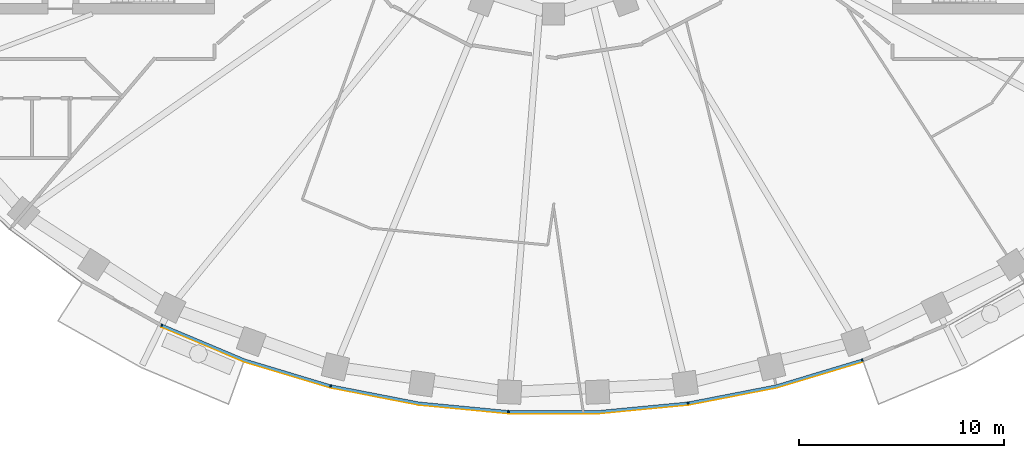
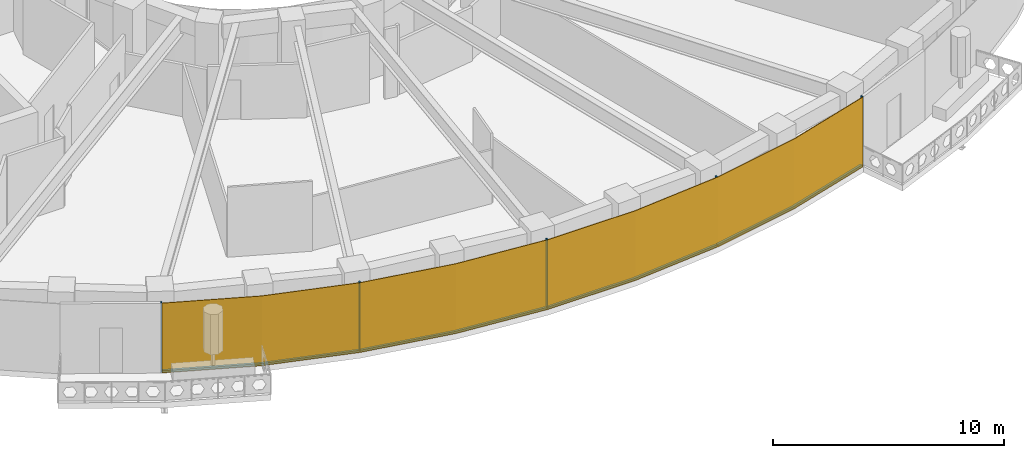
# One storey, part 9 of 15: 9 members, 1 curtain wall.
"""IFC4 building model written with IfcOpenShell, lengths in metres."""

from ifc_helpers import new_model, si_unit, direction, frame, origin, origin_2d, place, context, subcontext, project, spatial, polyline, rectangle, outline, extrude, material, layer, layer_set, material_profile, profile_set, type_object, element, aggregate, save


model = new_model("IFC4")

# Units and contexts
model_context = context("Model", 3, precision=1e-05, world=origin(), true_north=direction((0.0, 1.0)))
body_context = subcontext(model_context, "Body", "Model", "MODEL_VIEW")
ifc_project = project(units=[si_unit("LENGTHUNIT", "METRE"), si_unit("AREAUNIT", "SQUARE_METRE"), si_unit("VOLUMEUNIT", "CUBIC_METRE"), si_unit("PLANEANGLEUNIT", "RADIAN"), si_unit("MASSUNIT", "GRAM", prefix="KILO")], contexts=[model_context])

# Member
ifc_material_1 = material(Name="Aluminium 6063-T6 black anodised", Category="aluminium")
ifc_material_profile = material_profile(ifc_material_1, rectangle(XDim=0.1201171875, YDim=0.06005859375, at=origin_2d()), Name="120x60")
ifc_profile_set = profile_set([ifc_material_profile], Name="Aluminium 6063-T6 black anodised")
member_type_1 = type_object("IfcMemberType", Name="ENV-MULLION-A-120", PredefinedType="MULLION", material=ifc_profile_set)
site_placement = place(None, origin())
building_placement = place(site_placement, origin())
storey_placement = place(building_placement, frame((0.0, 0.0, 182.0)))
member_1_placement = place(storey_placement, frame((-19.06787109375, -23.6474609375, 0.0), z_axis=(0.0, 0.0, 1.0), x_axis=(0.439237769837, 0.898370848563, 0.0)))
member_1 = element("IfcMember", 1, at=member_1_placement, type_object=member_type_1, Name="Mullion A radial 31", PredefinedType="MULLION", context=body_context, shape_type="SweptSolid", body=[
    extrude(rectangle(XDim=0.1201171875, YDim=0.06005859375, at=origin_2d()), origin(), (0.0, 0.0, 1.0), 3.699951171875),
])

member_2_placement = place(storey_placement, frame((-10.84326171875, -26.60498046875, 0.0), z_axis=(0.0, 0.0, 1.0), x_axis=(0.239799081534, 0.970822538106, 0.0)))
member_2 = element("IfcMember", 2, at=member_2_placement, type_object=member_type_1, Name="Mullion A radial 33", PredefinedType="MULLION", context=body_context, shape_type="SweptSolid", body=[
    extrude(rectangle(XDim=0.1201171875, YDim=0.06005859375, at=origin_2d()), origin(), (0.0, 0.0, 1.0), 3.699951171875),
])

member_3_placement = place(storey_placement, frame((-2.188720703125, -27.856201171875, 0.0), z_axis=(0.0, 0.0, 1.0), x_axis=(0.047557873581, 0.998868484166, 0.0)))
member_3 = element("IfcMember", 3, at=member_3_placement, type_object=member_type_1, Name="Mullion A radial 35", PredefinedType="MULLION", context=body_context, shape_type="SweptSolid", body=[
    extrude(rectangle(XDim=0.1201171875, YDim=0.06005859375, at=origin_2d()), origin(), (0.0, 0.0, 1.0), 3.699951171875),
])

member_4_placement = place(storey_placement, frame((6.54638671875, -27.440185546875, 0.0), z_axis=(0.0, 0.0, 1.0), x_axis=(-0.143082012705, 0.989710835366, 0.0)))
member_4 = element("IfcMember", 4, at=member_4_placement, type_object=member_type_1, Name="Mullion A radial 37", PredefinedType="MULLION", context=body_context, shape_type="SweptSolid", body=[
    extrude(rectangle(XDim=0.1201171875, YDim=0.06005859375, at=origin_2d()), origin(), (0.0, 0.0, 1.0), 3.699951171875),
])

member_5_placement = place(storey_placement, frame((15.0341796875, -25.34375, 0.0), z_axis=(0.0, 0.0, 1.0), x_axis=(-0.338379256581, 0.941009818608, 0.0)))
member_5 = element("IfcMember", 5, at=member_5_placement, type_object=member_type_1, Name="Mullion A radial 39", PredefinedType="MULLION", context=body_context, shape_type="SweptSolid", body=[
    extrude(rectangle(XDim=0.1201171875, YDim=0.06005859375, at=origin_2d()), origin(), (0.0, 0.0, 1.0), 3.699951171875),
])

ifc_material_2 = material(Name="Aluminium 6063-T6 black anodised", Category="aluminium")
member_type_2 = type_object("IfcMemberType", Name="ENV-TRANSOM-A", PredefinedType="USERDEFINED", material=ifc_material_2)
member_6_placement = place(storey_placement, origin())
member_6 = element("IfcMember", 6, at=member_6_placement, type_object=member_type_2, Name="Transom A radial 31-33", ObjectType="TRANSOM", PredefinedType="USERDEFINED", context=body_context, shape_type="SweptSolid", body=[
    extrude(outline(polyline([(-19.068359375, -23.71240234375), (-15.054443359375, -25.400146484375), (-10.884521484375, -26.655029296875), (-10.855712890625, -26.53857421875), (-15.013916015625, -25.287109375), (-19.015380859375, -23.604248046875), (-19.068359375, -23.71240234375)])), origin(), (0.0, 0.0, 1.0), 0.10009765625),
])

member_7_placement = place(storey_placement, origin())
member_7 = element("IfcMember", 7, at=member_7_placement, type_object=member_type_2, Name="Transom A radial 33-35", ObjectType="TRANSOM", PredefinedType="USERDEFINED", context=body_context, shape_type="SweptSolid", body=[
    extrude(outline(polyline([(-10.830078125, -26.66845703125), (-6.55517578125, -27.49951171875), (-2.219482421875, -27.913330078125), (-2.2138671875, -27.793212890625), (-6.537841796875, -27.380615234375), (-10.80126953125, -26.552001953125), (-10.830078125, -26.66845703125)])), origin(), (0.0, 0.0, 1.0), 0.10009765625),
])

member_8_placement = place(storey_placement, origin())
member_8 = element("IfcMember", 8, at=member_8_placement, type_object=member_type_2, Name="Transom A radial 35-37", ObjectType="TRANSOM", PredefinedType="USERDEFINED", context=body_context, shape_type="SweptSolid", body=[
    extrude(outline(polyline([(-2.163818359375, -27.916015625), (2.191650390625, -27.916015625), (6.527099609375, -27.502197265625), (6.510009765625, -27.38330078125), (2.185791015625, -27.7958984375), (-2.157958984375, -27.7958984375), (-2.163818359375, -27.916015625)])), origin(), (0.0, 0.0, 1.0), 0.10009765625),
])

member_9_placement = place(storey_placement, origin())
member_9 = element("IfcMember", 9, at=member_9_placement, type_object=member_type_2, Name="Transom A radial 37-39", ObjectType="TRANSOM", PredefinedType="USERDEFINED", context=body_context, shape_type="SweptSolid", body=[
    extrude(outline(polyline([(6.58251953125, -27.494140625), (10.857666015625, -26.6630859375), (15.027587890625, -25.408203125), (14.987060546875, -25.295166015625), (10.828857421875, -26.54638671875), (6.5654296875, -27.375244140625), (6.58251953125, -27.494140625)])), origin(), (0.0, 0.0, 1.0), 0.10009765625),
])

# Site, building, storey
site = spatial("IfcSite", under=ifc_project, at=site_placement, CompositionType="ELEMENT")
building = spatial("IfcBuilding", under=site, at=building_placement, Name="Noorbagh Ring Tower", CompositionType="ELEMENT")
storey = spatial("IfcBuildingStorey", under=building, at=storey_placement, Name="L42", CompositionType="ELEMENT", Elevation=182.0)

# Curtain wall
ifc_material_3 = material(Name="Glass dark tinted laminated", Category="glass")
ifc_layer = layer(ifc_material_3, 0.031982421875)
ifc_layer_set = layer_set([ifc_layer], Name="Glass dark tinted laminated")
curtain_wall_type = type_object("IfcCurtainWallType", Name="ENV-CW-A", PredefinedType="NOTDEFINED", material=ifc_layer_set)
curtain_wall_placement = place(storey_placement, origin())
curtain_wall = element("IfcCurtainWall", 10, at=curtain_wall_placement, inside=storey, type_object=curtain_wall_type, Name="Curtain wall A R31", PredefinedType="NOTDEFINED", context=body_context, shape_type="SweptSolid", body=[
    extrude(outline(polyline([(-19.08984375, -23.738037109375), (-15.065185546875, -25.430419921875), (-10.865234375, -26.6943359375), (-6.559814453125, -27.53125), (-2.193115234375, -27.947998046875), (2.193115234375, -27.947998046875), (6.559814453125, -27.53125), (10.865234375, -26.6943359375), (15.046142578125, -25.43603515625), (15.035400390625, -25.406005859375), (10.857666015625, -26.6630859375), (6.55517578125, -27.49951171875), (2.191650390625, -27.916015625), (-2.191650390625, -27.916015625), (-6.55517578125, -27.49951171875), (-10.857666015625, -26.6630859375), (-15.054443359375, -25.400146484375), (-19.07568359375, -23.709228515625), (-19.08984375, -23.738037109375)])), origin(), (0.0, 0.0, 1.0), 3.699951171875),
])

aggregate(curtain_wall, [member_1, member_2, member_3, member_4, member_5, member_6, member_7, member_8, member_9])

save(model, "model.ifc")
